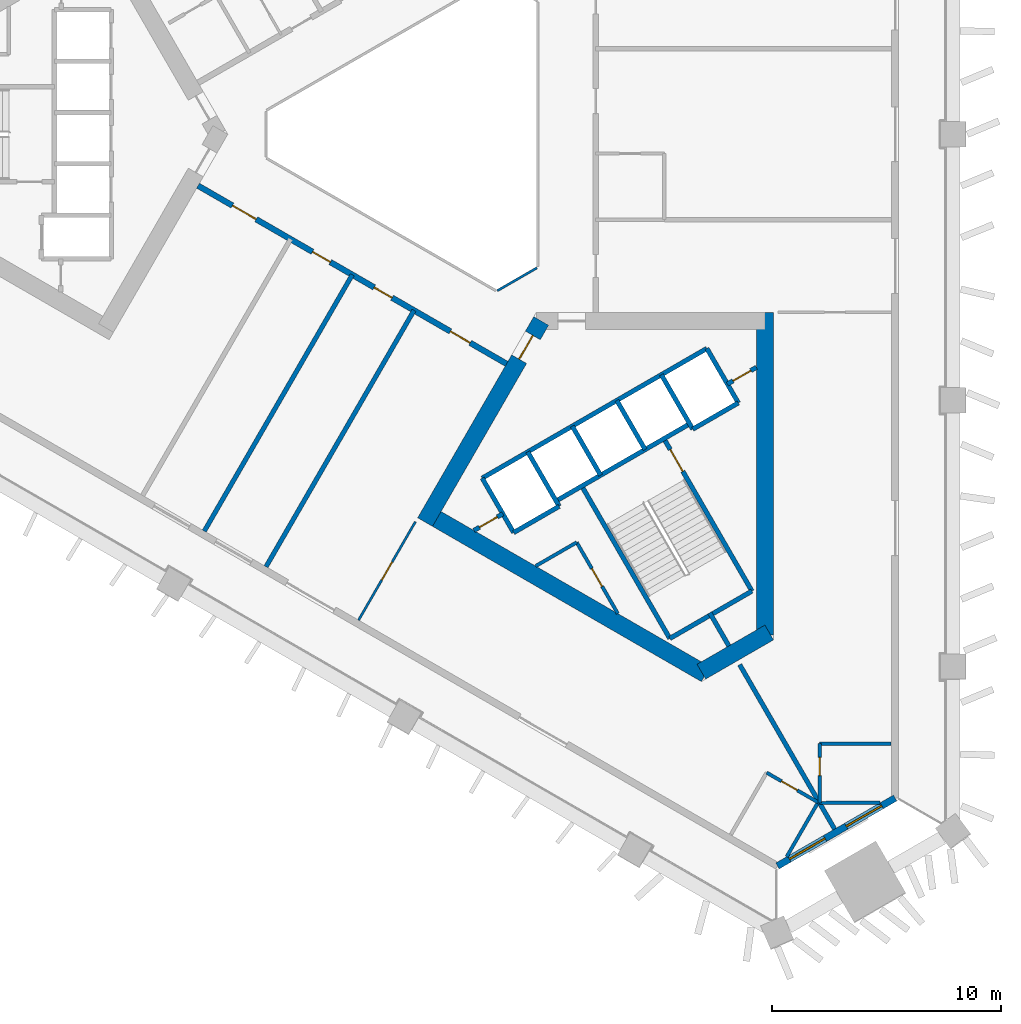
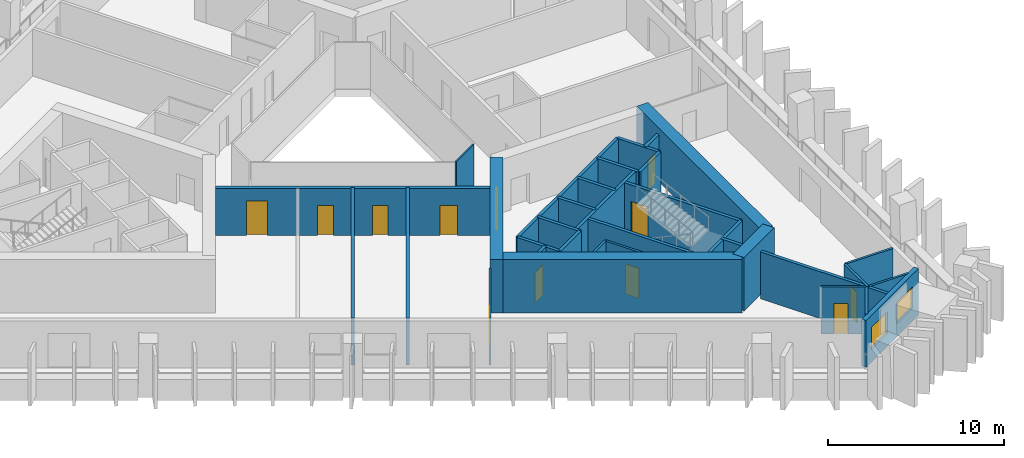
# One storey, part 3 of 9: 34 walls, 12 doors, 2 windows, 14 openings.
"""IFC4 building model written with IfcOpenShell, lengths in metres."""

from ifc_helpers import new_model, si_unit, direction, frame, frame_2d, origin, place, context, subcontext, project, spatial, rectangle, extrude, material, layer, layer_set, type_object, element, fill, save


model = new_model("IFC4")

# Units and contexts
model_context = context("Model", 3, precision=1e-05, world=origin(), true_north=direction((0.0, 1.0)))
body_context = subcontext(model_context, "Body", "Model", "MODEL_VIEW")
ifc_project = project(units=[si_unit("LENGTHUNIT", "METRE"), si_unit("AREAUNIT", "SQUARE_METRE"), si_unit("VOLUMEUNIT", "CUBIC_METRE"), si_unit("PLANEANGLEUNIT", "RADIAN"), si_unit("MASSUNIT", "GRAM", prefix="KILO")], contexts=[model_context])

# Site, building, storey
site_placement = place(None, origin())
site = spatial("IfcSite", under=ifc_project, at=site_placement, CompositionType="ELEMENT")
building_placement = place(site_placement, origin())
building = spatial("IfcBuilding", under=site, at=building_placement, Name="Jabali Bay Hotel Tower and Convention Centre", CompositionType="ELEMENT")
storey_placement = place(building_placement, frame((0.0, 0.0, 94.300048828125)))
storey = spatial("IfcBuildingStorey", under=building, at=storey_placement, Name="L22", CompositionType="ELEMENT", Elevation=94.300048828125)

# Walls
ifc_material_1 = material(Name="Fire-resistant glazing", Category="glass")
ifc_layer_1 = layer(ifc_material_1, 0.10009765625)
ifc_layer_set_1 = layer_set([ifc_layer_1], Name="Fire-resistant glazing")
wall_type_1 = type_object("IfcWallType", Name="Atrium glazed screen 100", PredefinedType="PARTITIONING", material=ifc_layer_set_1)
wall_1_placement = place(storey_placement, frame((77.7978515625, 73.15380859375, 0.0), z_axis=(0.0, 0.0, 1.0), x_axis=(0.866041268327, 0.499972520799, 0.0)))
element("IfcWall", 1, at=wall_1_placement, inside=storey, type_object=wall_type_1, Name="Atrium screen 6 L22", PredefinedType="PARTITIONING", context=body_context, shape_type="SweptSolid", body=[
    extrude(rectangle(XDim=2.0, YDim=0.10009765625, at=frame_2d((1.0, 0.0))), origin(), (0.0, 0.0, 1.0), 3.25),
])
ifc_material_2 = material(Name="Concrete C40", Category="concrete")
ifc_layer_2 = layer(ifc_material_2, 0.199951171875)
ifc_layer_set_2 = layer_set([ifc_layer_2], Name="Concrete C40")
wall_type_2 = type_object("IfcWallType", Name="Core partition wall 200", PredefinedType="PARTITIONING", material=ifc_layer_set_2)
wall_2_placement = place(storey_placement, frame((87.090087890625, 59.0595703125, 0.0), z_axis=(0.0, 0.0, 1.0), x_axis=(0.499937194881, -0.866061661301, 0.0)))
element("IfcWall", 2, at=wall_2_placement, inside=storey, type_object=wall_type_2, Name="Core wall 2.5 L22", PredefinedType="PARTITIONING", context=body_context, shape_type="SweptSolid", body=[
    extrude(rectangle(XDim=1.673095703125, YDim=0.199951171875, at=frame_2d((0.83642578125, 0.0))), origin(), (0.0, 0.0, 1.0), 3.25),
])

# Wall, opening, door
wall_3_placement = place(storey_placement, frame((76.77001953125, 62.662109375, 0.0), z_axis=(0.0, 0.0, 1.0), x_axis=(0.866054810376, 0.49994906283, 0.0)))
wall_3 = element("IfcWall", 3, at=wall_3_placement, inside=storey, type_object=wall_type_2, Name="Core wall 2.11 L22", PredefinedType="PARTITIONING", context=body_context, shape_type="SweptSolid", body=[
    extrude(rectangle(XDim=1.461181640625, YDim=0.199951171875, at=frame_2d((0.73046875, 0.0))), origin(), (0.0, 0.0, 1.0), 3.25),
])
opening_1_placement = place(wall_3_placement, frame((0.280517578125, 0.0, 0.0)))
opening_1 = element("IfcOpeningElement", 4, at=opening_1_placement, cuts=wall_3, Name="Opening D525", PredefinedType="OPENING", context=body_context, shape_type="SweptSolid", body=[
    extrude(rectangle(XDim=0.89990234375, YDim=2.10009765625, at=frame_2d((0.449951171875, 1.050048828125))), frame((0.0, 0.1103515625, 0.0), z_axis=(0.0, -1.0, 0.0), x_axis=(1.0, 0.0, 0.0)), (0.0, 0.0, 1.0), 0.220947265625),
])
ifc_material_3 = material(Name="Fire-rated steel door", Category="steel")
door_type_1 = type_object("IfcDoorType", Name="Vestibule fire door 900 x 2100", OperationType="NOTDEFINED", PredefinedType="NOTDEFINED", material=ifc_material_3)
door_1_placement = place(opening_1_placement, origin())
door_1 = element("IfcDoor", 5, at=door_1_placement, inside=storey, type_object=door_type_1, Name="Vestibule fire door D525", OperationType="SINGLE_SWING_LEFT", OverallHeight=2.10009765625, OverallWidth=0.89990234375, PredefinedType="NOTDEFINED", context=body_context, shape_type="SweptSolid", body=[
    extrude(rectangle(XDim=0.89990234375, YDim=2.10009765625, at=frame_2d((0.449951171875, 1.050048828125))), frame((0.0, 0.02490234375, 0.0), z_axis=(0.0, -1.0, 0.0), x_axis=(1.0, 0.0, 0.0)), (0.0, 0.0, 1.0), 0.050048828125),
])
fill(opening_1, door_1)

wall_4_placement = place(storey_placement, frame((87.86474609375, 69.067626953125, 0.0), z_axis=(0.0, 0.0, 1.0), x_axis=(0.865982457891, 0.500074377092, 0.0)))
wall_4 = element("IfcWall", 6, at=wall_4_placement, inside=storey, type_object=wall_type_2, Name="Core wall 2.12 L22", PredefinedType="PARTITIONING", context=body_context, shape_type="SweptSolid", body=[
    extrude(rectangle(XDim=1.461181640625, YDim=0.199951171875, at=frame_2d((0.73046875, 0.0))), origin(), (0.0, 0.0, 1.0), 3.25),
])
opening_2_placement = place(wall_4_placement, frame((0.280517578125, 0.0, 0.0)))
opening_2 = element("IfcOpeningElement", 7, at=opening_2_placement, cuts=wall_4, Name="Opening D524", PredefinedType="OPENING", context=body_context, shape_type="SweptSolid", body=[
    extrude(rectangle(XDim=0.89990234375, YDim=2.10009765625, at=frame_2d((0.449951171875, 1.050048828125))), frame((0.0, 0.1103515625, 0.0), z_axis=(0.0, -1.0, 0.0), x_axis=(1.0, 0.0, 0.0)), (0.0, 0.0, 1.0), 0.220947265625),
])
door_2_placement = place(opening_2_placement, origin())
door_2 = element("IfcDoor", 8, at=door_2_placement, inside=storey, type_object=door_type_1, Name="Vestibule fire door D524", OperationType="SINGLE_SWING_LEFT", OverallHeight=2.10009765625, OverallWidth=0.89990234375, PredefinedType="NOTDEFINED", context=body_context, shape_type="SweptSolid", body=[
    extrude(rectangle(XDim=0.89990234375, YDim=2.10009765625, at=frame_2d((0.449951171875, 1.050048828125))), frame((0.0, 0.02490234375, 0.0), z_axis=(0.0, -1.0, 0.0), x_axis=(1.0, 0.0, 0.0)), (0.0, 0.0, 1.0), 0.050048828125),
])
fill(opening_2, door_2)

ifc_material_4 = material(Name="Fire-rated board partition")
ifc_layer_3 = layer(ifc_material_4, 0.14990234375)
ifc_layer_set_3 = layer_set([ifc_layer_3], Name="Fire-rated board partition")
wall_type_3 = type_object("IfcWallType", Name="Core room partition 150", PredefinedType="PARTITIONING", material=ifc_layer_set_3)
wall_5_placement = place(storey_placement, frame((81.268798828125, 62.141845703125, 0.0), z_axis=(0.0, 0.0, 1.0), x_axis=(0.500043557135, -0.866000254601, 0.0)))
wall_5 = element("IfcWall", 9, at=wall_5_placement, inside=storey, type_object=wall_type_3, Name="Core wall 2.1 L22", PredefinedType="PARTITIONING", context=body_context, shape_type="SweptSolid", body=[
    extrude(rectangle(XDim=3.597900390625, YDim=0.14990234375, at=frame_2d((1.798828125, 0.0))), origin(), (0.0, 0.0, 1.0), 3.25),
])
opening_3_placement = place(wall_5_placement, frame((1.321533203125, 0.0, 0.0)))
opening_3 = element("IfcOpeningElement", 10, at=opening_3_placement, cuts=wall_5, Name="Opening D527", PredefinedType="OPENING", context=body_context, shape_type="SweptSolid", body=[
    extrude(rectangle(XDim=0.89990234375, YDim=2.10009765625, at=frame_2d((0.449951171875, 1.050048828125))), frame((0.0, 0.08544921875, 0.0), z_axis=(0.0, -1.0, 0.0), x_axis=(1.0, 0.0, 0.0)), (0.0, 0.0, 1.0), 0.1708984375),
])
door_type_2 = type_object("IfcDoorType", Name="Core room door 900 x 2100", OperationType="NOTDEFINED", PredefinedType="NOTDEFINED", material=ifc_material_3)
door_3_placement = place(opening_3_placement, origin())
door_3 = element("IfcDoor", 11, at=door_3_placement, inside=storey, type_object=door_type_2, Name="Core room door D527", OperationType="SINGLE_SWING_LEFT", OverallHeight=2.10009765625, OverallWidth=0.89990234375, PredefinedType="NOTDEFINED", context=body_context, shape_type="SweptSolid", body=[
    extrude(rectangle(XDim=0.89990234375, YDim=2.10009765625, at=frame_2d((0.449951171875, 1.050048828125))), frame((0.0, 0.02490234375, 0.0), z_axis=(0.0, -1.0, 0.0), x_axis=(1.0, 0.0, 0.0)), (0.0, 0.0, 1.0), 0.050048828125),
])
fill(opening_3, door_3)

# Walls
wall_6_placement = place(storey_placement, frame((79.469970703125, 61.103271484375, 0.0), z_axis=(0.0, 0.0, 1.0), x_axis=(0.866021168401, 0.500007335828, 0.0)))
element("IfcWall", 12, at=wall_6_placement, inside=storey, type_object=wall_type_3, Name="Core wall 2.16 L22", PredefinedType="PARTITIONING", context=body_context, shape_type="SweptSolid", body=[
    extrude(rectangle(XDim=2.0771484375, YDim=0.14990234375, at=frame_2d((1.03857421875, 0.0))), origin(), (0.0, 0.0, 1.0), 3.25),
])
ifc_layer_4 = layer(ifc_material_2, 0.199951171875)
ifc_layer_set_4 = layer_set([ifc_layer_4], Name="Concrete C40")
wall_type_4 = type_object("IfcWallType", Name="Core stair wall 200", PredefinedType="SOLIDWALL", material=ifc_layer_set_4)
for number, where, z_axis, x_axis, name in (
    (13, (77.13525390625, 64.95166015625, 0.0), (0.0, 0.0, 1.0), (0.499996545922, -0.866027397988, 0.0), "Core wall 2.0 L22"),
    (14, (79.127197265625, 66.1015625, 0.0), (0.0, 0.0, 1.0), (0.499996545922, -0.866027397988, 0.0), "Core wall 2.2 L22"),
):
    element("IfcWall", number, at=place(storey_placement, frame(where, z_axis=z_axis, x_axis=x_axis)), inside=storey, type_object=wall_type_4, Name=name, PredefinedType="SOLIDWALL", context=body_context, shape_type="SweptSolid", body=[
        extrude(rectangle(XDim=2.75, YDim=0.199951171875, at=frame_2d((1.375, 0.0))), origin(), (0.0, 0.0, 1.0), 3.25),
    ])
wall_7_placement = place(storey_placement, frame((81.492919921875, 64.603759765625, 0.0), z_axis=(0.0, 0.0, 1.0), x_axis=(0.500006057782, -0.866021906294, 0.0)))
element("IfcWall", 15, at=wall_7_placement, inside=storey, type_object=wall_type_4, Name="Core wall 2.3 L22", PredefinedType="SOLIDWALL", context=body_context, shape_type="SweptSolid", body=[
    extrude(rectangle(XDim=7.7001953125, YDim=0.199951171875, at=frame_2d((3.85009765625, 0.0))), origin(), (0.0, 0.0, 1.0), 3.25),
])
for number, where, z_axis, x_axis, name in (
    (16, (81.07568359375, 67.2265625, 0.0), (0.0, 0.0, 1.0), (0.50000366821, -0.866023285932, 0.0), "Core wall 2.4 L22"),
    (17, (83.024169921875, 68.3515625, 0.0), (0.0, 0.0, 1.0), (0.50000366821, -0.866023285932, 0.0), "Core wall 2.6 L22"),
):
    element("IfcWall", number, at=place(storey_placement, frame(where, z_axis=z_axis, x_axis=x_axis)), inside=storey, type_object=wall_type_4, Name=name, PredefinedType="SOLIDWALL", context=body_context, shape_type="SweptSolid", body=[
        extrude(rectangle(XDim=2.47998046875, YDim=0.199951171875, at=frame_2d((1.239990234375, 0.0))), origin(), (0.0, 0.0, 1.0), 3.25),
    ])

# Wall, opening, door
wall_8_placement = place(storey_placement, frame((85.0869140625, 66.6787109375, 0.0), z_axis=(0.0, 0.0, 1.0), x_axis=(0.500019787375, -0.866013979237, 0.0)))
wall_8 = element("IfcWall", 18, at=wall_8_placement, inside=storey, type_object=wall_type_4, Name="Core wall 2.7 L22", PredefinedType="SOLIDWALL", context=body_context, shape_type="SweptSolid", body=[
    extrude(rectangle(XDim=7.699951171875, YDim=0.199951171875, at=frame_2d((3.85009765625, 0.0))), origin(), (0.0, 0.0, 1.0), 3.25),
])
opening_4_placement = place(wall_8_placement, frame((0.550048828125, 0.0, 0.0)))
opening_4 = element("IfcOpeningElement", 19, at=opening_4_placement, cuts=wall_8, Name="Opening D526", PredefinedType="OPENING", context=body_context, shape_type="SweptSolid", body=[
    extrude(rectangle(XDim=1.10009765625, YDim=2.10009765625, at=frame_2d((0.550048828125, 1.050048828125))), frame((0.0, 0.1103515625, 0.0), z_axis=(0.0, -1.0, 0.0), x_axis=(1.0, 0.0, 0.0)), (0.0, 0.0, 1.0), 0.220947265625),
])
door_type_3 = type_object("IfcDoorType", Name="Stair fire door 1100 x 2100", OperationType="NOTDEFINED", PredefinedType="NOTDEFINED", material=ifc_material_3)
door_4_placement = place(opening_4_placement, origin())
door_4 = element("IfcDoor", 20, at=door_4_placement, inside=storey, type_object=door_type_3, Name="Stair fire door D526", OperationType="SINGLE_SWING_RIGHT", OverallHeight=2.10009765625, OverallWidth=1.10009765625, PredefinedType="NOTDEFINED", context=body_context, shape_type="SweptSolid", body=[
    extrude(rectangle(XDim=1.10009765625, YDim=2.10009765625, at=frame_2d((0.550048828125, 1.050048828125))), frame((0.0, 0.02490234375, 0.0), z_axis=(0.0, -1.0, 0.0), x_axis=(1.0, 0.0, 0.0)), (0.0, 0.0, 1.0), 0.050048828125),
])
fill(opening_4, door_4)

# Walls
for number, where, z_axis, x_axis, name in (
    (21, (84.972900390625, 69.4765625, 0.0), (0.0, 0.0, 1.0), (0.499996545922, -0.866027397988, 0.0), "Core wall 2.8 L22"),
    (22, (86.964599609375, 70.62646484375, 0.0), (0.0, 0.0, 1.0), (0.499996545922, -0.866027397988, 0.0), "Core wall 2.9 L22"),
):
    element("IfcWall", number, at=place(storey_placement, frame(where, z_axis=z_axis, x_axis=x_axis)), inside=storey, type_object=wall_type_4, Name=name, PredefinedType="SOLIDWALL", context=body_context, shape_type="SweptSolid", body=[
        extrude(rectangle(XDim=2.75, YDim=0.199951171875, at=frame_2d((1.375, 0.0))), origin(), (0.0, 0.0, 1.0), 3.25),
    ])
wall_9_placement = place(storey_placement, frame((77.13525390625, 64.95166015625, 0.0), z_axis=(0.0, 0.0, 1.0), x_axis=(0.866031916153, 0.499988720078, 0.0)))
element("IfcWall", 23, at=wall_9_placement, inside=storey, type_object=wall_type_4, Name="Core wall 2.10 L22", PredefinedType="SOLIDWALL", context=body_context, shape_type="SweptSolid", body=[
    extrude(rectangle(XDim=11.349853515625, YDim=0.199951171875, at=frame_2d((5.6748046875, 0.0))), origin(), (0.0, 0.0, 1.0), 3.25),
])
wall_10_placement = place(storey_placement, frame((80.3671875, 63.953857421875, 0.0), z_axis=(0.0, 0.0, 1.0), x_axis=(0.866026575979, 0.499997969693, 0.0)))
element("IfcWall", 24, at=wall_10_placement, inside=storey, type_object=wall_type_4, Name="Core wall 2.13 L22", PredefinedType="SOLIDWALL", context=body_context, shape_type="SweptSolid", body=[
    extrude(rectangle(XDim=6.75, YDim=0.199951171875, at=frame_2d((3.375, 0.0))), origin(), (0.0, 0.0, 1.0), 3.25),
])
wall_11_placement = place(storey_placement, frame((78.51025390625, 62.570068359375, 0.0), z_axis=(0.0, 0.0, 1.0), x_axis=(0.866053019151, 0.499952165731, 0.0)))
element("IfcWall", 25, at=wall_11_placement, inside=storey, type_object=wall_type_4, Name="Core wall 2.14 L22", PredefinedType="SOLIDWALL", context=body_context, shape_type="SweptSolid", body=[
    extrude(rectangle(XDim=2.300048828125, YDim=0.199951171875, at=frame_2d((1.14990234375, 0.0))), origin(), (0.0, 0.0, 1.0), 3.25),
])
wall_12_placement = place(storey_placement, frame((86.347900390625, 67.094970703125, 0.0), z_axis=(0.0, 0.0, 1.0), x_axis=(0.86602648383, 0.499998129301, 0.0)))
element("IfcWall", 26, at=wall_12_placement, inside=storey, type_object=wall_type_4, Name="Core wall 2.15 L22", PredefinedType="SOLIDWALL", context=body_context, shape_type="SweptSolid", body=[
    extrude(rectangle(XDim=2.2998046875, YDim=0.199951171875, at=frame_2d((1.14990234375, 0.0))), origin(), (0.0, 0.0, 1.0), 3.25),
])
wall_13_placement = place(storey_placement, frame((85.343017578125, 57.935302734375, 0.0), z_axis=(0.0, 0.0, 1.0), x_axis=(0.866004344652, 0.500036473714, 0.0)))
element("IfcWall", 27, at=wall_13_placement, inside=storey, type_object=wall_type_4, Name="Core wall 2.17 L22", PredefinedType="SOLIDWALL", context=body_context, shape_type="SweptSolid", body=[
    extrude(rectangle(XDim=4.150146484375, YDim=0.199951171875, at=frame_2d((2.0751953125, 0.0))), origin(), (0.0, 0.0, 1.0), 3.25),
])

# Wall, opening, door
ifc_material_5 = material(Name="Concrete C60", Category="concrete")
ifc_layer_5 = layer(ifc_material_5, 0.75)
ifc_layer_set_5 = layer_set([ifc_layer_5], Name="Concrete C60")
wall_type_5 = type_object("IfcWallType", Name="Core wall 750", PredefinedType="SHEAR", material=ifc_layer_set_5)
wall_14_placement = place(storey_placement, frame((79.716552734375, 71.830810546875, 0.0), z_axis=(0.0, 0.0, 1.0), x_axis=(-0.499996230114, -0.866027580318, 0.0)))
wall_14 = element("IfcWall", 28, at=wall_14_placement, inside=storey, type_object=wall_type_5, Name="Core wall 3.1 L22", PredefinedType="SHEAR", context=body_context, shape_type="SweptSolid", body=[
    extrude(rectangle(XDim=10.16357421875, YDim=0.75, at=frame_2d((5.081787109375, 0.0))), origin(), (0.0, 0.0, 1.0), 3.699951171875),
])
opening_5_placement = place(wall_14_placement, frame((0.7333984375, 0.0, 0.0)))
opening_5 = element("IfcOpeningElement", 29, at=opening_5_placement, cuts=wall_14, Name="Opening D522", PredefinedType="OPENING", context=body_context, shape_type="SweptSolid", body=[
    extrude(rectangle(XDim=1.199951171875, YDim=2.10009765625, at=frame_2d((0.60009765625, 1.050048828125))), frame((0.0, 0.385498046875, 0.0), z_axis=(0.0, -1.0, 0.0), x_axis=(1.0, 0.0, 0.0)), (0.0, 0.0, 1.0), 0.77099609375),
])
door_type_4 = type_object("IfcDoorType", Name="Corridor end fire door 1200 x 2100", OperationType="NOTDEFINED", PredefinedType="NOTDEFINED", material=ifc_material_3)
door_5_placement = place(opening_5_placement, origin())
door_5 = element("IfcDoor", 30, at=door_5_placement, inside=storey, type_object=door_type_4, Name="Corridor end fire door D522", OperationType="SINGLE_SWING_RIGHT", OverallHeight=2.10009765625, OverallWidth=1.199951171875, PredefinedType="NOTDEFINED", context=body_context, shape_type="SweptSolid", body=[
    extrude(rectangle(XDim=1.199951171875, YDim=2.10009765625, at=frame_2d((0.60009765625, 1.050048828125))), frame((0.0, 0.02490234375, 0.0), z_axis=(0.0, -1.0, 0.0), x_axis=(1.0, 0.0, 0.0)), (0.0, 0.0, 1.0), 0.050048828125),
])
fill(opening_5, door_5)

# Walls
wall_15_placement = place(storey_placement, frame((74.822265625, 63.353759765625, 0.0), z_axis=(0.0, 0.0, 1.0), x_axis=(0.8660248072, -0.500001033313, 0.0)))
element("IfcWall", 31, at=wall_15_placement, inside=storey, type_object=wall_type_5, Name="Core wall 3.2 L22", PredefinedType="SHEAR", context=body_context, shape_type="SweptSolid", body=[
    extrude(rectangle(XDim=13.95849609375, YDim=0.75, at=frame_2d((6.979248046875, 0.0))), origin(), (0.0, 0.0, 1.0), 3.699951171875),
])
wall_16_placement = place(storey_placement, frame((86.72314453125, 56.482666015625, 0.0), z_axis=(0.0, 0.0, 1.0), x_axis=(0.866017201164, 0.500014207086, 0.0)))
element("IfcWall", 32, at=wall_16_placement, inside=storey, type_object=wall_type_5, Name="Core wall 3.3 L22", PredefinedType="SHEAR", context=body_context, shape_type="SweptSolid", body=[
    extrude(rectangle(XDim=3.4287109375, YDim=0.75, at=frame_2d((1.71435546875, 0.0))), origin(), (0.0, 0.0, 1.0), 3.699951171875),
])
wall_17_placement = place(storey_placement, frame((89.5048828125, 58.0888671875, 0.0), z_axis=(0.0, 0.0, 1.0), x_axis=(0.0, 1.0, 0.0)))
element("IfcWall", 33, at=wall_17_placement, inside=storey, type_object=wall_type_5, Name="Core wall 3.4 L22", PredefinedType="SHEAR", context=body_context, shape_type="SweptSolid", body=[
    extrude(rectangle(XDim=14.116943359375, YDim=0.75, at=frame_2d((7.05859375, 0.0))), origin(), (0.0, 0.0, 1.0), 3.699951171875),
])

# Wall, openings, doors
ifc_layer_6 = layer(ifc_material_5, 0.25)
ifc_layer_set_6 = layer_set([ifc_layer_6], Name="Concrete C60")
wall_type_6 = type_object("IfcWallType", Name="Corridor wall 250", PredefinedType="SHEAR", material=ifc_layer_set_6)
wall_18_placement = place(storey_placement, frame((64.699951171875, 77.748291015625, 0.0), z_axis=(0.0, 0.0, 1.0), x_axis=(0.866026492143, -0.499998114903, 0.0)))
wall_18 = element("IfcWall", 34, at=wall_18_placement, inside=storey, type_object=wall_type_6, Name="Corridor wall 3 L22", PredefinedType="SHEAR", context=body_context, shape_type="SweptSolid", body=[
    extrude(rectangle(XDim=15.58837890625, YDim=0.25, at=frame_2d((7.794189453125, 0.0))), origin(), (0.0, 0.0, 1.0), 3.25),
])
opening_6_placement = place(wall_18_placement, frame((1.73828125, 0.0, 0.0)))
opening_6 = element("IfcOpeningElement", 35, at=opening_6_placement, cuts=wall_18, Name="Opening 2216", PredefinedType="OPENING", context=body_context, shape_type="SweptSolid", body=[
    extrude(rectangle(XDim=1.199951171875, YDim=2.39990234375, at=frame_2d((0.60009765625, 1.199951171875))), frame((0.0, 0.135498046875, 0.0), z_axis=(0.0, -1.0, 0.0), x_axis=(1.0, 0.0, 0.0)), (0.0, 0.0, 1.0), 0.27099609375),
])
opening_7_placement = place(wall_18_placement, frame((5.785400390625, 0.0, 0.0)))
opening_7 = element("IfcOpeningElement", 36, at=opening_7_placement, cuts=wall_18, Name="Opening 2217", PredefinedType="OPENING", context=body_context, shape_type="SweptSolid", body=[
    extrude(rectangle(XDim=0.89990234375, YDim=2.10009765625, at=frame_2d((0.449951171875, 1.050048828125))), frame((0.0, 0.135498046875, 0.0), z_axis=(0.0, -1.0, 0.0), x_axis=(1.0, 0.0, 0.0)), (0.0, 0.0, 1.0), 0.27099609375),
])
opening_8_placement = place(wall_18_placement, frame((8.903076171875, 0.0, 0.0)))
opening_8 = element("IfcOpeningElement", 37, at=opening_8_placement, cuts=wall_18, Name="Opening 2218", PredefinedType="OPENING", context=body_context, shape_type="SweptSolid", body=[
    extrude(rectangle(XDim=0.89990234375, YDim=2.10009765625, at=frame_2d((0.449951171875, 1.050048828125))), frame((0.0, 0.135498046875, 0.0), z_axis=(0.0, -1.0, 0.0), x_axis=(1.0, 0.0, 0.0)), (0.0, 0.0, 1.0), 0.27099609375),
])
opening_9_placement = place(wall_18_placement, frame((12.750244140625, 0.0, 0.0)))
opening_9 = element("IfcOpeningElement", 38, at=opening_9_placement, cuts=wall_18, Name="Opening 2219", PredefinedType="OPENING", context=body_context, shape_type="SweptSolid", body=[
    extrude(rectangle(XDim=1.0, YDim=2.10009765625, at=frame_2d((0.5, 1.050048828125))), frame((0.0, 0.135498046875, 0.0), z_axis=(0.0, -1.0, 0.0), x_axis=(1.0, 0.0, 0.0)), (0.0, 0.0, 1.0), 0.27099609375),
])
ifc_material_6 = material(Name="Timber", Category="wood")
door_type_5 = type_object("IfcDoorType", Name="Guest room door 1000 x 2100", OperationType="NOTDEFINED", PredefinedType="NOTDEFINED", material=ifc_material_6)
door_6_placement = place(opening_9_placement, origin())
door_6 = element("IfcDoor", 39, at=door_6_placement, inside=storey, type_object=door_type_5, Name="Door 2219", OperationType="SINGLE_SWING_RIGHT", OverallHeight=2.10009765625, OverallWidth=1.0, PredefinedType="NOTDEFINED", context=body_context, shape_type="SweptSolid", body=[
    extrude(rectangle(XDim=1.0, YDim=2.10009765625, at=frame_2d((0.5, 1.050048828125))), frame((0.0, 0.02490234375, 0.0), z_axis=(0.0, -1.0, 0.0), x_axis=(1.0, 0.0, 0.0)), (0.0, 0.0, 1.0), 0.050048828125),
])
fill(opening_9, door_6)
door_type_6 = type_object("IfcDoorType", Name="Internal door 900 x 2100", OperationType="NOTDEFINED", PredefinedType="NOTDEFINED", material=ifc_material_6)
door_7_placement = place(opening_7_placement, origin())
door_7 = element("IfcDoor", 40, at=door_7_placement, inside=storey, type_object=door_type_6, Name="Door 2217", OperationType="SINGLE_SWING_LEFT", OverallHeight=2.10009765625, OverallWidth=0.89990234375, PredefinedType="NOTDEFINED", context=body_context, shape_type="SweptSolid", body=[
    extrude(rectangle(XDim=0.89990234375, YDim=2.10009765625, at=frame_2d((0.449951171875, 1.050048828125))), frame((0.0, 0.02490234375, 0.0), z_axis=(0.0, -1.0, 0.0), x_axis=(1.0, 0.0, 0.0)), (0.0, 0.0, 1.0), 0.050048828125),
])
fill(opening_7, door_7)
door_8_placement = place(opening_8_placement, origin())
door_8 = element("IfcDoor", 41, at=door_8_placement, inside=storey, type_object=door_type_6, Name="Door 2218", OperationType="SINGLE_SWING_RIGHT", OverallHeight=2.10009765625, OverallWidth=0.89990234375, PredefinedType="NOTDEFINED", context=body_context, shape_type="SweptSolid", body=[
    extrude(rectangle(XDim=0.89990234375, YDim=2.10009765625, at=frame_2d((0.449951171875, 1.050048828125))), frame((0.0, 0.02490234375, 0.0), z_axis=(0.0, -1.0, 0.0), x_axis=(1.0, 0.0, 0.0)), (0.0, 0.0, 1.0), 0.050048828125),
])
fill(opening_8, door_8)
door_type_7 = type_object("IfcDoorType", Name="Public room door 1200 x 2400", OperationType="NOTDEFINED", PredefinedType="NOTDEFINED", material=ifc_material_6)
door_9_placement = place(opening_6_placement, origin())
door_9 = element("IfcDoor", 42, at=door_9_placement, inside=storey, type_object=door_type_7, Name="Door 2216", OperationType="SINGLE_SWING_LEFT", OverallHeight=2.39990234375, OverallWidth=1.199951171875, PredefinedType="NOTDEFINED", context=body_context, shape_type="SweptSolid", body=[
    extrude(rectangle(XDim=1.199951171875, YDim=2.39990234375, at=frame_2d((0.60009765625, 1.199951171875))), frame((0.0, 0.02490234375, 0.0), z_axis=(0.0, -1.0, 0.0), x_axis=(1.0, 0.0, 0.0)), (0.0, 0.0, 1.0), 0.050048828125),
])
fill(opening_6, door_9)

# Wall, openings, windows
ifc_layer_7 = layer(ifc_material_2, 0.300048828125)
ifc_layer_set_7 = layer_set([ifc_layer_7], Name="Concrete C40")
wall_type_7 = type_object("IfcWallType", Name="External wall 300", PredefinedType="SOLIDWALL", material=ifc_layer_set_7)
wall_19_placement = place(storey_placement, frame((95.201904296875, 50.95361328125, 0.0), z_axis=(0.0, 0.0, 1.0), x_axis=(-0.866025542078, -0.499999760469, 0.0)))
wall_19 = element("IfcWall", 43, at=wall_19_placement, inside=storey, type_object=wall_type_7, Name="External wall south-east chamfer L22", PredefinedType="SOLIDWALL", context=body_context, shape_type="SweptSolid", body=[
    extrude(rectangle(XDim=5.9443359375, YDim=0.300048828125, at=frame_2d((2.97216796875, 0.0))), origin(), (0.0, 0.0, 1.0), 3.25),
])
opening_10_placement = place(wall_19_placement, frame((0.67138671875, 0.0, 0.89990234375)))
opening_10 = element("IfcOpeningElement", 44, at=opening_10_placement, cuts=wall_19, Name="Opening W1", PredefinedType="OPENING", context=body_context, shape_type="SweptSolid", body=[
    extrude(rectangle(XDim=1.800048828125, YDim=1.5, at=frame_2d((0.89990234375, 0.75))), frame((0.0, 0.16064453125, 0.0), z_axis=(0.0, -1.0, 0.0), x_axis=(1.0, 0.0, 0.0)), (0.0, 0.0, 1.0), 0.321044921875),
])
opening_11_placement = place(wall_19_placement, frame((3.541015625, 0.0, 0.89990234375)))
opening_11 = element("IfcOpeningElement", 45, at=opening_11_placement, cuts=wall_19, Name="Opening W1", PredefinedType="OPENING", context=body_context, shape_type="SweptSolid", body=[
    extrude(rectangle(XDim=1.800048828125, YDim=1.5, at=frame_2d((0.89990234375, 0.75))), frame((0.0, 0.16064453125, 0.0), z_axis=(0.0, -1.0, 0.0), x_axis=(1.0, 0.0, 0.0)), (0.0, 0.0, 1.0), 0.321044921875),
])
ifc_material_7 = material(Name="Glass", Category="glass")
window_type = type_object("IfcWindowType", Name="Window 1800 x 1500", PartitioningType="SINGLE_PANEL", PredefinedType="WINDOW", material=ifc_material_7)
window_1_placement = place(opening_10_placement, origin())
window_1 = element("IfcWindow", 46, at=window_1_placement, inside=storey, type_object=window_type, Name="Window 2201", OverallHeight=1.5, OverallWidth=1.800048828125, PartitioningType="SINGLE_PANEL", PredefinedType="WINDOW", context=body_context, shape_type="SweptSolid", body=[
    extrude(rectangle(XDim=1.800048828125, YDim=1.5, at=frame_2d((0.89990234375, 0.75))), frame((0.0, 0.030029296875, 0.0), z_axis=(0.0, -1.0, 0.0), x_axis=(1.0, 0.0, 0.0)), (0.0, 0.0, 1.0), 0.06005859375),
])
fill(opening_10, window_1)
window_2_placement = place(opening_11_placement, origin())
window_2 = element("IfcWindow", 47, at=window_2_placement, inside=storey, type_object=window_type, Name="Window 2209", OverallHeight=1.5, OverallWidth=1.800048828125, PartitioningType="SINGLE_PANEL", PredefinedType="WINDOW", context=body_context, shape_type="SweptSolid", body=[
    extrude(rectangle(XDim=1.800048828125, YDim=1.5, at=frame_2d((0.89990234375, 0.75))), frame((0.0, 0.030029296875, 0.0), z_axis=(0.0, -1.0, 0.0), x_axis=(1.0, 0.0, 0.0)), (0.0, 0.0, 1.0), 0.06005859375),
])
fill(opening_11, window_2)

# Wall, opening, door
ifc_material_8 = material(Name="Plasterboard on steel stud", Category="steel")
ifc_layer_8 = layer(ifc_material_8, 0.10009765625)
ifc_layer_set_8 = layer_set([ifc_layer_8], Name="Plasterboard on steel stud")
wall_type_8 = type_object("IfcWallType", Name="Partition 100 unit", PredefinedType="PARTITIONING", material=ifc_layer_set_8)
wall_20_placement = place(storey_placement, frame((71.7236328125, 58.736572265625, 0.0), z_axis=(0.0, 0.0, 1.0), x_axis=(0.499971721724, 0.866041729639, 0.0)))
wall_20 = element("IfcWall", 48, at=wall_20_placement, inside=storey, type_object=wall_type_8, Name="Partition P02 L22 030", PredefinedType="PARTITIONING", context=body_context, shape_type="SweptSolid", body=[
    extrude(rectangle(XDim=4.973876953125, YDim=0.10009765625, at=frame_2d((2.48681640625, 0.0))), origin(), (0.0, 0.0, 1.0), 3.25),
])
opening_12_placement = place(wall_20_placement, frame((2.037109375, 0.0, 0.0)))
opening_12 = element("IfcOpeningElement", 49, at=opening_12_placement, cuts=wall_20, Name="Opening 2220", PredefinedType="OPENING", context=body_context, shape_type="SweptSolid", body=[
    extrude(rectangle(XDim=0.89990234375, YDim=2.10009765625, at=frame_2d((0.449951171875, 1.050048828125))), frame((0.0, 0.060546875, 0.0), z_axis=(0.0, -1.0, 0.0), x_axis=(1.0, 0.0, 0.0)), (0.0, 0.0, 1.0), 0.12109375),
])
door_10_placement = place(opening_12_placement, origin())
door_10 = element("IfcDoor", 50, at=door_10_placement, inside=storey, type_object=door_type_6, Name="Door 2220", OperationType="SINGLE_SWING_RIGHT", OverallHeight=2.10009765625, OverallWidth=0.89990234375, PredefinedType="NOTDEFINED", context=body_context, shape_type="SweptSolid", body=[
    extrude(rectangle(XDim=0.89990234375, YDim=2.10009765625, at=frame_2d((0.449951171875, 1.050048828125))), frame((0.0, 0.02490234375, 0.0), z_axis=(0.0, -1.0, 0.0), x_axis=(1.0, 0.0, 0.0)), (0.0, 0.0, 1.0), 0.050048828125),
])
fill(opening_12, door_10)

# Wall
ifc_layer_9 = layer(ifc_material_8, 0.14990234375)
ifc_layer_set_9 = layer_set([ifc_layer_9], Name="Plasterboard on steel stud")
wall_type_9 = type_object("IfcWallType", Name="Partition 150 wet", PredefinedType="PARTITIONING", material=ifc_layer_set_9)
wall_21_placement = place(storey_placement, frame((94.544921875, 50.74658203125, 0.0), z_axis=(0.0, 0.0, 1.0), x_axis=(-0.999994472164, -0.003325002401, 0.0)))
element("IfcWall", 51, at=wall_21_placement, inside=storey, type_object=wall_type_9, Name="Partition P03 L22 004", PredefinedType="PARTITIONING", context=body_context, shape_type="SweptSolid", body=[
    extrude(rectangle(XDim=2.643310546875, YDim=0.14990234375, at=frame_2d((1.32177734375, 0.0))), origin(), (0.0, 0.0, 1.0), 3.25),
])

# Wall, opening, door
wall_22_placement = place(storey_placement, frame((91.901611328125, 50.73779296875, 0.0), z_axis=(0.0, 0.0, 1.0), x_axis=(0.0, 1.0, 0.0)))
wall_22 = element("IfcWall", 52, at=wall_22_placement, inside=storey, type_object=wall_type_9, Name="Partition P03 L22 005", PredefinedType="PARTITIONING", context=body_context, shape_type="SweptSolid", body=[
    extrude(rectangle(XDim=2.599853515625, YDim=0.14990234375, at=frame_2d((1.2998046875, 0.0))), origin(), (0.0, 0.0, 1.0), 3.25),
])
opening_13_placement = place(wall_22_placement, frame((1.199951171875, 0.0, 0.0)))
opening_13 = element("IfcOpeningElement", 53, at=opening_13_placement, cuts=wall_22, Name="Opening 2203", PredefinedType="OPENING", context=body_context, shape_type="SweptSolid", body=[
    extrude(rectangle(XDim=0.800048828125, YDim=2.10009765625, at=frame_2d((0.39990234375, 1.050048828125))), frame((0.0, 0.08544921875, 0.0), z_axis=(0.0, -1.0, 0.0), x_axis=(1.0, 0.0, 0.0)), (0.0, 0.0, 1.0), 0.1708984375),
])
door_type_8 = type_object("IfcDoorType", Name="En-suite door 800 x 2100", OperationType="NOTDEFINED", PredefinedType="NOTDEFINED", material=ifc_material_6)
door_11_placement = place(opening_13_placement, origin())
door_11 = element("IfcDoor", 54, at=door_11_placement, inside=storey, type_object=door_type_8, Name="Door 2203", OperationType="SINGLE_SWING_RIGHT", OverallHeight=2.10009765625, OverallWidth=0.800048828125, PredefinedType="NOTDEFINED", context=body_context, shape_type="SweptSolid", body=[
    extrude(rectangle(XDim=0.800048828125, YDim=2.10009765625, at=frame_2d((0.39990234375, 1.050048828125))), frame((0.0, 0.02490234375, 0.0), z_axis=(0.0, -1.0, 0.0), x_axis=(1.0, 0.0, 0.0)), (0.0, 0.0, 1.0), 0.050048828125),
])
fill(opening_13, door_11)

# Wall
wall_23_placement = place(storey_placement, frame((91.901611328125, 53.337646484375, 0.0), z_axis=(0.0, 0.0, 1.0), x_axis=(1.0, 0.0, 0.0)))
element("IfcWall", 55, at=wall_23_placement, inside=storey, type_object=wall_type_9, Name="Partition P03 L22 006", PredefinedType="PARTITIONING", context=body_context, shape_type="SweptSolid", body=[
    extrude(rectangle(XDim=3.1103515625, YDim=0.14990234375, at=frame_2d((1.55517578125, 0.0))), origin(), (0.0, 0.0, 1.0), 3.25),
])

# Wall, opening, door
wall_24_placement = place(storey_placement, frame((89.58056640625, 52.065673828125, 0.0), z_axis=(0.0, 0.0, 1.0), x_axis=(0.866021400173, -0.500006934395, 0.0)))
wall_24 = element("IfcWall", 56, at=wall_24_placement, inside=storey, type_object=wall_type_9, Name="Partition P03 L22 032", PredefinedType="PARTITIONING", context=body_context, shape_type="SweptSolid", body=[
    extrude(rectangle(XDim=2.60009765625, YDim=0.14990234375, at=frame_2d((1.300048828125, 0.0))), origin(), (0.0, 0.0, 1.0), 3.25),
])
opening_14_placement = place(wall_24_placement, frame((0.75, 0.0, 0.0)))
opening_14 = element("IfcOpeningElement", 57, at=opening_14_placement, cuts=wall_24, Name="Opening 2221", PredefinedType="OPENING", context=body_context, shape_type="SweptSolid", body=[
    extrude(rectangle(XDim=0.800048828125, YDim=2.10009765625, at=frame_2d((0.39990234375, 1.050048828125))), frame((0.0, 0.08544921875, 0.0), z_axis=(0.0, -1.0, 0.0), x_axis=(1.0, 0.0, 0.0)), (0.0, 0.0, 1.0), 0.1708984375),
])
door_12_placement = place(opening_14_placement, origin())
door_12 = element("IfcDoor", 58, at=door_12_placement, inside=storey, type_object=door_type_8, Name="Door 2221", OperationType="SINGLE_SWING_LEFT", OverallHeight=2.10009765625, OverallWidth=0.800048828125, PredefinedType="NOTDEFINED", context=body_context, shape_type="SweptSolid", body=[
    extrude(rectangle(XDim=0.800048828125, YDim=2.10009765625, at=frame_2d((0.39990234375, 1.050048828125))), frame((0.0, 0.02490234375, 0.0), z_axis=(0.0, -1.0, 0.0), x_axis=(1.0, 0.0, 0.0)), (0.0, 0.0, 1.0), 0.050048828125),
])
fill(opening_14, door_12)

# Walls
wall_25_placement = place(storey_placement, frame((91.832275390625, 50.765625, 0.0), z_axis=(0.0, 0.0, 1.0), x_axis=(-0.500002068897, -0.866024209303, 0.0)))
element("IfcWall", 59, at=wall_25_placement, inside=storey, type_object=wall_type_9, Name="Partition P03 L22 033", PredefinedType="PARTITIONING", context=body_context, shape_type="SweptSolid", body=[
    extrude(rectangle(XDim=2.74609375, YDim=0.14990234375, at=frame_2d((1.373046875, 0.0))), origin(), (0.0, 0.0, 1.0), 3.25),
])
ifc_layer_10 = layer(ifc_material_8, 0.199951171875)
ifc_layer_set_10 = layer_set([ifc_layer_10], Name="Plasterboard on steel stud")
wall_type_10 = type_object("IfcWallType", Name="Partition 200 party", PredefinedType="PARTITIONING", material=ifc_layer_set_10)
wall_26_placement = place(storey_placement, frame((88.401123046875, 56.788818359375, 0.0), z_axis=(0.0, 0.0, 1.0), x_axis=(0.499996437432, -0.866027460624, 0.0)))
element("IfcWall", 60, at=wall_26_placement, inside=storey, type_object=wall_type_10, Name="Partition P01 L22 007", PredefinedType="PARTITIONING", context=body_context, shape_type="SweptSolid", body=[
    extrude(rectangle(XDim=8.3046875, YDim=0.199951171875, at=frame_2d((4.15234375, 0.0))), origin(), (0.0, 0.0, 1.0), 3.25),
])
for number, where, z_axis, x_axis, name in (
    (61, (64.9736328125, 62.6337890625, 0.0), (0.0, 0.0, 1.0), (0.499992750609, 0.866029589182, 0.0), "Partition P01 L22 028"),
    (62, (67.673583984375, 61.074951171875, 0.0), (0.0, 0.0, 1.0), (0.499992750609, 0.866029589182, 0.0), "Partition P01 L22 029"),
):
    element("IfcWall", number, at=place(storey_placement, frame(where, z_axis=z_axis, x_axis=x_axis)), inside=storey, type_object=wall_type_10, Name=name, PredefinedType="PARTITIONING", context=body_context, shape_type="SweptSolid", body=[
        extrude(rectangle(XDim=12.952880859375, YDim=0.199951171875, at=frame_2d((6.4765625, 0.0))), origin(), (0.0, 0.0, 1.0), 3.25),
    ])

save(model, "model.ifc")
